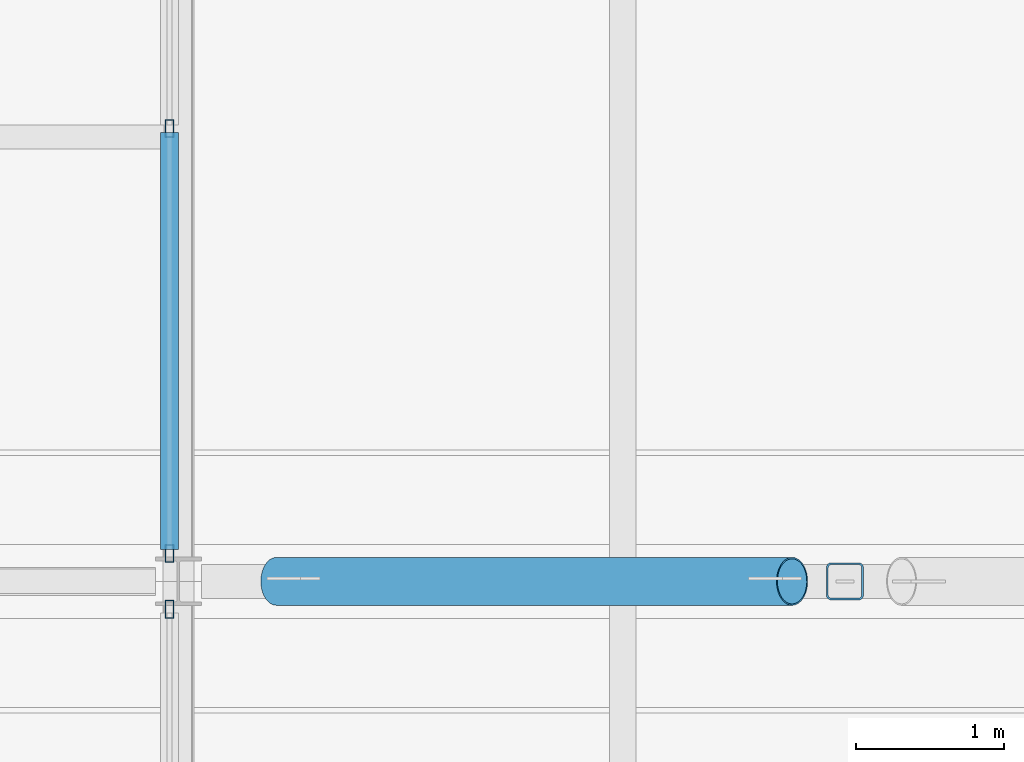
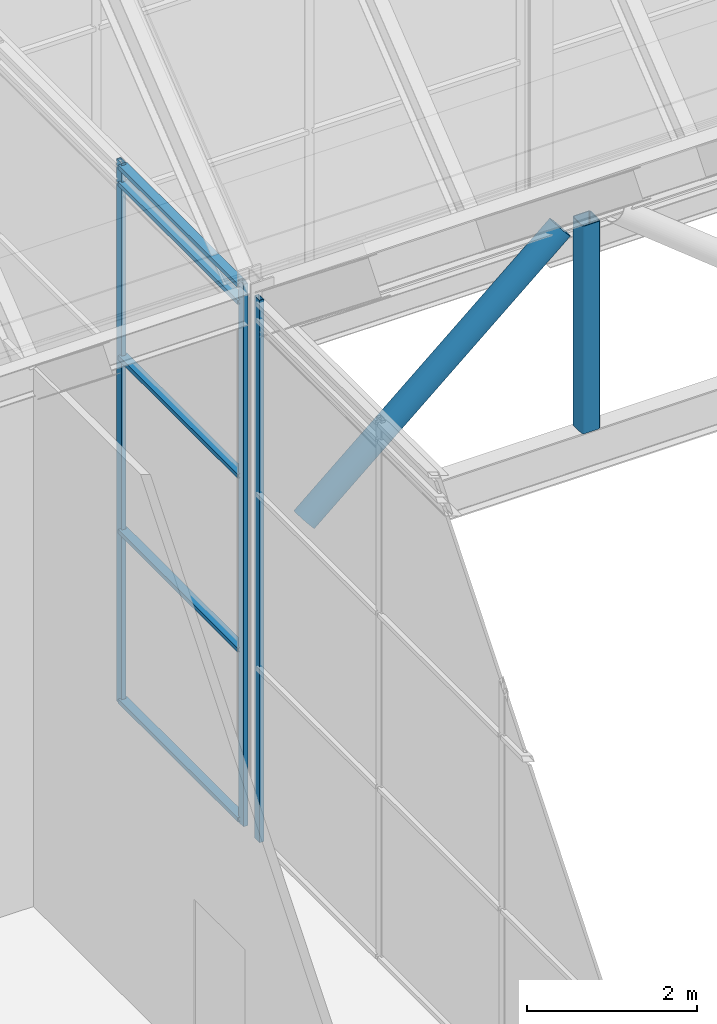
# One storey, part 37 of 144: 10 members, 2 elements without a shape of their own.
"""IFC4 building model written with IfcOpenShell, lengths in metres."""

from ifc_helpers import new_model, si_unit, direction, frame, origin, origin_2d, place, context, subcontext, project, spatial, hollow_rectangle, hollow_circle, extrude, material, layer, layer_set, material_profile, profile_set, type_object, element, aggregate, save


model = new_model("IFC4")

# Units and contexts
model_context = context("Model", 3, precision=1e-05, world=origin(), true_north=direction((0.0, 1.0)))
body_context = subcontext(model_context, "Body", "Model", "MODEL_VIEW")
ifc_project = project(units=[si_unit("LENGTHUNIT", "METRE"), si_unit("AREAUNIT", "SQUARE_METRE"), si_unit("VOLUMEUNIT", "CUBIC_METRE"), si_unit("PLANEANGLEUNIT", "RADIAN"), si_unit("MASSUNIT", "GRAM", prefix="KILO")], contexts=[model_context])

# Site, building, storey
site_placement = place(None, origin())
site = spatial("IfcSite", under=ifc_project, at=site_placement, CompositionType="ELEMENT")
building_placement = place(site_placement, origin())
building = spatial("IfcBuilding", under=site, at=building_placement, Name="Shorebreak Coast Museum", CompositionType="ELEMENT")
storey_placement = place(building_placement, frame((0.0, 0.0, 36.0)))
storey = spatial("IfcBuildingStorey", under=building, at=storey_placement, Name="L06", CompositionType="ELEMENT", Elevation=36.0)

# Members
ifc_material_1 = material(Name="Steel Grade C350L0", Category="steel")
ifc_material_profile_1 = material_profile(ifc_material_1, hollow_circle(Radius=0.161865234375, WallThickness=0.009521484375, at=origin_2d()), Name="323.9x9.5 CHS")
ifc_profile_set_1 = profile_set([ifc_material_profile_1], Name="Steel Grade C350L0")
member_type_1 = type_object("IfcMemberType", Name="Atrium roof truss diagonal 323.9x9.5 CHS", PredefinedType="BRACE", material=ifc_profile_set_1)
member_1_placement = place(storey_placement, frame((63.662109375, 72.0, 4.235595703125), z_axis=(0.758858280344, 0.0, 0.651255794871), x_axis=(0.0, 1.0, 0.0)))
element("IfcMember", 1, at=member_1_placement, inside=storey, type_object=member_type_1, Name="Atrium roof truss TA3 diagonal D01", PredefinedType="BRACE", context=body_context, shape_type="SweptSolid", body=[
    extrude(hollow_circle(Radius=0.161865234375, WallThickness=0.009521484375, at=origin_2d()), origin(), (0.0, 0.0, 1.0), 4.587646484375),
])
ifc_material_2 = material(Name="Steel Grade C450L0", Category="steel")
ifc_material_profile_2 = material_profile(ifc_material_2, hollow_rectangle(XDim=0.25, YDim=0.25, WallThickness=0.012451171875, InnerFilletRadius=0.018798828125, OuterFilletRadius=0.03125, at=origin_2d()), Name="250x250x12.5 SHS")
ifc_profile_set_2 = profile_set([ifc_material_profile_2], Name="Steel Grade C450L0")
member_type_2 = type_object("IfcMemberType", Name="Atrium roof truss strut 250x250x12.5 SHS", PredefinedType="STRUT", material=ifc_profile_set_2)
member_2_placement = place(storey_placement, frame((67.5, 72.0, 4.235595703125), z_axis=(0.0, 0.0, 1.0), x_axis=(1.0, 0.0, 0.0)))
element("IfcMember", 2, at=member_2_placement, inside=storey, type_object=member_type_2, Name="Atrium roof truss TA3 strut V01", PredefinedType="STRUT", context=body_context, shape_type="SweptSolid", body=[
    extrude(hollow_rectangle(XDim=0.25, YDim=0.25, WallThickness=0.012451171875, InnerFilletRadius=0.018798828125, OuterFilletRadius=0.03125, at=origin_2d()), origin(), (0.0, 0.0, 1.0), 2.98779296875),
])

# Curtain wall, member
ifc_material_3 = material(Name="Aluminium", Category="aluminium")
ifc_layer = layer(ifc_material_3, 0.1201171875)
ifc_layer_set = layer_set([ifc_layer], Name="Aluminium")
curtain_wall_type = type_object("IfcCurtainWallType", Name="Atrium fire screen", PredefinedType="NOTDEFINED", material=ifc_layer_set)
curtain_wall_1_placement = place(storey_placement, origin())
curtain_wall_1 = element("IfcCurtainWall", 3, at=curtain_wall_1_placement, inside=storey, type_object=curtain_wall_type, Name="Atrium screen L06 W 89", PredefinedType="NOTDEFINED")
ifc_material_4 = material(Name="Aluminium", Category="aluminium")
ifc_material_profile_3 = material_profile(ifc_material_4, hollow_rectangle(XDim=0.06005859375, YDim=0.1201171875, WallThickness=0.00341796875, at=origin_2d()), Name="AL 120x60 RHS")
ifc_profile_set_3 = profile_set([ifc_material_profile_3], Name="Aluminium")
member_type_3 = type_object("IfcMemberType", Name="Screen mullion 50 x 120", PredefinedType="MULLION", material=ifc_profile_set_3)
member_3_placement = place(storey_placement, frame((62.93994140625, 71.811279296875, 0.0), z_axis=(0.0, 0.0, 1.0), x_axis=(-1.0, 0.0, 0.0)))
member_3 = element("IfcMember", 4, at=member_3_placement, type_object=member_type_3, Name="CW6 mullion 4", PredefinedType="MULLION", context=body_context, shape_type="SweptSolid", body=[
    extrude(hollow_rectangle(XDim=0.06005859375, YDim=0.1201171875, WallThickness=0.00341796875, at=origin_2d()), origin(), (0.0, 0.0, 1.0), 7.800048828125),
])
aggregate(curtain_wall_1, [member_3])

# Curtain wall, members
curtain_wall_2_placement = place(storey_placement, origin())
curtain_wall_2 = element("IfcCurtainWall", 5, at=curtain_wall_2_placement, inside=storey, type_object=curtain_wall_type, Name="Atrium screen L06 W 90", PredefinedType="NOTDEFINED")
member_4_placement = place(storey_placement, frame((62.93994140625, 72.188720703125, 0.0), z_axis=(0.0, 0.0, 1.0), x_axis=(-1.0, 0.0, 0.0)))
member_4 = element("IfcMember", 6, at=member_4_placement, type_object=member_type_3, Name="CW4 mullion 1", PredefinedType="MULLION", context=body_context, shape_type="SweptSolid", body=[
    extrude(hollow_rectangle(XDim=0.06005859375, YDim=0.1201171875, WallThickness=0.00341796875, at=origin_2d()), origin(), (0.0, 0.0, 1.0), 7.800048828125),
])
member_5_placement = place(storey_placement, frame((62.93994140625, 75.056640625, 0.0), z_axis=(0.0, 0.0, 1.0), x_axis=(-1.0, 0.0, 0.0)))
member_5 = element("IfcMember", 7, at=member_5_placement, type_object=member_type_3, Name="CW4 mullion 2", PredefinedType="MULLION", context=body_context, shape_type="SweptSolid", body=[
    extrude(hollow_rectangle(XDim=0.06005859375, YDim=0.1201171875, WallThickness=0.00341796875, at=origin_2d()), origin(), (0.0, 0.0, 1.0), 7.800048828125),
])
ifc_material_5 = material(Name="Aluminium", Category="aluminium")
ifc_material_profile_4 = material_profile(ifc_material_5, hollow_rectangle(XDim=0.1201171875, YDim=0.06005859375, WallThickness=0.00341796875, at=origin_2d()), Name="AL 60x120 RHS")
ifc_profile_set_4 = profile_set([ifc_material_profile_4], Name="Aluminium")
member_type_4 = type_object("IfcMemberType", Name="Screen transom 120 x 50", PredefinedType="USERDEFINED", material=ifc_profile_set_4)
member_6_placement = place(storey_placement, frame((62.93994140625, 72.213623046875, 0.06005859375), z_axis=(0.0, 1.0, 0.0), x_axis=(-1.0, 0.0, 0.0)))
member_6 = element("IfcMember", 8, at=member_6_placement, type_object=member_type_4, Name="CW4 transom 1.1", ObjectType="TRANSOM", PredefinedType="USERDEFINED", context=body_context, shape_type="SweptSolid", body=[
    extrude(hollow_rectangle(XDim=0.1201171875, YDim=0.06005859375, WallThickness=0.00341796875, at=origin_2d()), origin(), (0.0, 0.0, 1.0), 2.818115234375),
])
member_7_placement = place(storey_placement, frame((62.93994140625, 72.213623046875, 2.5), z_axis=(0.0, 1.0, 0.0), x_axis=(-1.0, 0.0, 0.0)))
member_7 = element("IfcMember", 9, at=member_7_placement, type_object=member_type_4, Name="CW4 transom 1.2", ObjectType="TRANSOM", PredefinedType="USERDEFINED", context=body_context, shape_type="SweptSolid", body=[
    extrude(hollow_rectangle(XDim=0.1201171875, YDim=0.06005859375, WallThickness=0.00341796875, at=origin_2d()), origin(), (0.0, 0.0, 1.0), 2.818115234375),
])
member_8_placement = place(storey_placement, frame((62.93994140625, 72.213623046875, 5.0), z_axis=(0.0, 1.0, 0.0), x_axis=(-1.0, 0.0, 0.0)))
member_8 = element("IfcMember", 10, at=member_8_placement, type_object=member_type_4, Name="CW4 transom 1.3", ObjectType="TRANSOM", PredefinedType="USERDEFINED", context=body_context, shape_type="SweptSolid", body=[
    extrude(hollow_rectangle(XDim=0.1201171875, YDim=0.06005859375, WallThickness=0.00341796875, at=origin_2d()), origin(), (0.0, 0.0, 1.0), 2.818115234375),
])
member_9_placement = place(storey_placement, frame((62.93994140625, 72.213623046875, 7.5), z_axis=(0.0, 1.0, 0.0), x_axis=(-1.0, 0.0, 0.0)))
member_9 = element("IfcMember", 11, at=member_9_placement, type_object=member_type_4, Name="CW4 transom 1.4", ObjectType="TRANSOM", PredefinedType="USERDEFINED", context=body_context, shape_type="SweptSolid", body=[
    extrude(hollow_rectangle(XDim=0.1201171875, YDim=0.06005859375, WallThickness=0.00341796875, at=origin_2d()), origin(), (0.0, 0.0, 1.0), 2.818115234375),
])
member_10_placement = place(storey_placement, frame((62.93994140625, 72.213623046875, 7.739990234375), z_axis=(0.0, 1.0, 0.0), x_axis=(-1.0, 0.0, 0.0)))
member_10 = element("IfcMember", 12, at=member_10_placement, type_object=member_type_4, Name="CW4 transom 1.5", ObjectType="TRANSOM", PredefinedType="USERDEFINED", context=body_context, shape_type="SweptSolid", body=[
    extrude(hollow_rectangle(XDim=0.1201171875, YDim=0.06005859375, WallThickness=0.00341796875, at=origin_2d()), origin(), (0.0, 0.0, 1.0), 2.818115234375),
])
aggregate(curtain_wall_2, [member_4, member_5, member_6, member_7, member_8, member_9, member_10])

save(model, "model.ifc")
